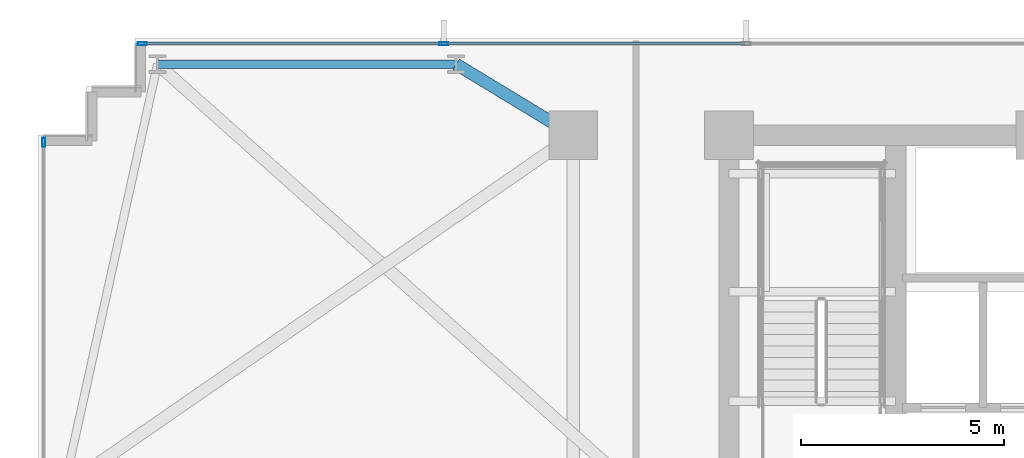
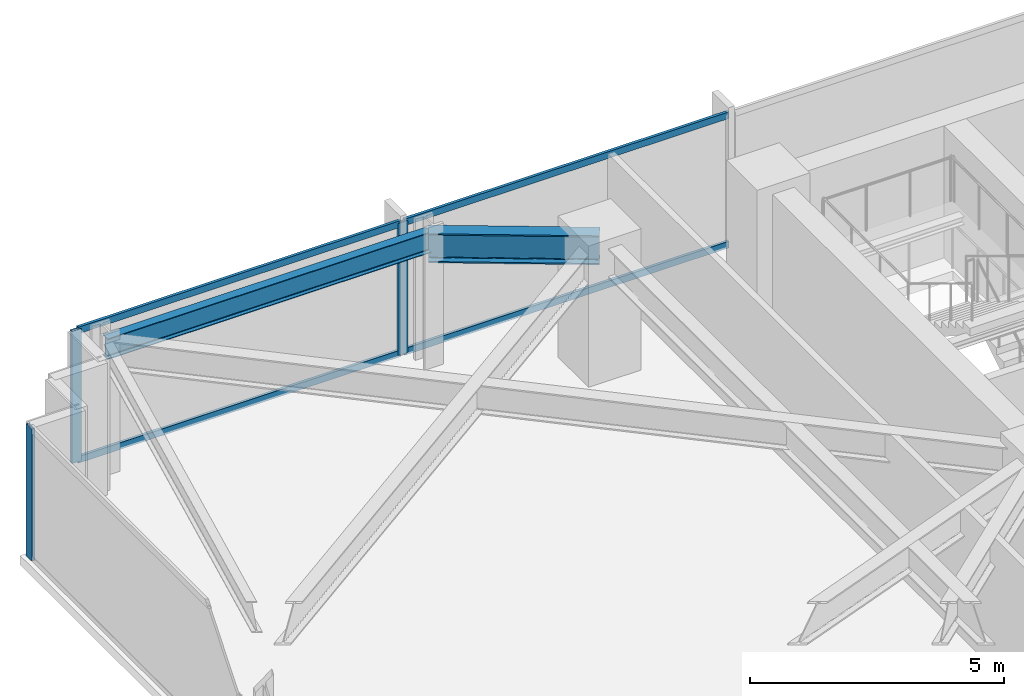
# One storey, part 17 of 33: 7 members, 2 beams, 2 elements without a shape of their own.
"""IFC4 building model written with IfcOpenShell, lengths in metres."""

import ifcopenshell
import ifcopenshell.guid

model = None  # the IFC model being written
_history = None  # IfcOwnerHistory: only IFC2X3 demands one
_inside = {}  # id of a spatial element -> (the spatial element, [elements in it])
_under = {}  # id of a project, library or spatial element -> (it, [spatial elements below it])
_declared = {}  # id of a project -> (the project, [libraries it declares])
_typed = {}  # id of a type object -> (the type object, [elements of that type])
_made_of = {}  # id of a material, layer set ... -> (it, [elements and type objects made of it])


def new_model(schema):
    """Start an empty IFC model of exactly this schema.

    Asked for "IFC4X3", IfcOpenShell would pick the latest addendum, in which some entities
    have other attributes; the version numbers below select the first issue.
    IFC2X3 requires an IfcOwnerHistory on every rooted entity: one is made here for all.
    """
    global model, _history
    if schema == "IFC4X3":
        model = ifcopenshell.file(schema_version=(4, 3, 0, 0))
    else:
        model = ifcopenshell.file(schema=schema)
    _inside.clear()
    _under.clear()
    _declared.clear()
    _typed.clear()
    _made_of.clear()
    _history = None
    if model.schema == "IFC2X3":
        org = make("IfcOrganization", Name="unknown")
        user = make(
            "IfcPersonAndOrganization",
            ThePerson=make("IfcPerson", FamilyName="unknown"),
            TheOrganization=org,
        )
        app = make(
            "IfcApplication",
            ApplicationDeveloper=org,
            Version="unknown",
            ApplicationFullName="unknown",
            ApplicationIdentifier="unknown",
        )
        _history = make(
            "IfcOwnerHistory",
            OwningUser=user,
            OwningApplication=app,
            ChangeAction="ADDED",
            CreationDate=0,
        )
    return model


def make(cls, **values):
    """One entity of the class cls with the attributes given. An attribute that is None is left unset."""
    return model.create_entity(
        cls, **{name: value for name, value in values.items() if value is not None}
    )


def rooted(cls, **values):
    """An entity with a GlobalId (a new one), such as an element, a storey or a relation."""
    return make(cls, GlobalId=ifcopenshell.guid.new(), OwnerHistory=_history, **values)


def si_unit(unit_type, name, prefix=None):
    """IfcSIUnit, for example si_unit("LENGTHUNIT", "METRE", prefix="MILLI")."""
    return make("IfcSIUnit", UnitType=unit_type, Prefix=prefix, Name=name)


def assignment(units):
    """IfcUnitAssignment: the units of a project."""
    return None if units is None else make("IfcUnitAssignment", Units=units)


def point(xyz):
    """IfcCartesianPoint."""
    return None if xyz is None else make("IfcCartesianPoint", Coordinates=xyz)


def direction(xyz):
    """IfcDirection."""
    return None if xyz is None else make("IfcDirection", DirectionRatios=xyz)


def frame(location, z_axis=None, x_axis=None):
    """IfcAxis2Placement3D, a coordinate frame: its origin and axes. An axis left out is left unset."""
    return make(
        "IfcAxis2Placement3D",
        Location=point(location),
        Axis=direction(z_axis),
        RefDirection=direction(x_axis),
    )


def frame_2d(location, x_axis=None):
    """IfcAxis2Placement2D, a coordinate frame in the plane: its origin and x axis."""
    return make(
        "IfcAxis2Placement2D", Location=point(location), RefDirection=direction(x_axis)
    )


def origin():
    """The frame at (0, 0, 0) with its axes left unset."""
    return frame((0.0, 0.0, 0.0))


def origin_2d():
    """The frame at (0, 0) in the plane with its x axis left unset."""
    return frame_2d((0.0, 0.0))


def place(relative_to, where):
    """IfcLocalPlacement: puts the frame where relative to a parent placement (None: the world)."""
    return make(
        "IfcLocalPlacement", PlacementRelTo=relative_to, RelativePlacement=where
    )


def context(
    kind, dimensions, precision=None, world=None, true_north=None, identifier=None
):
    """IfcGeometricRepresentationContext, for example the 3D "Model" context."""
    return make(
        "IfcGeometricRepresentationContext",
        ContextIdentifier=identifier,
        ContextType=kind,
        CoordinateSpaceDimension=dimensions,
        Precision=precision,
        WorldCoordinateSystem=world,
        TrueNorth=true_north,
    )


def subcontext(parent, identifier, kind, view, scale=None):
    """IfcGeometricRepresentationSubContext, for example "Body" below "Model"."""
    return make(
        "IfcGeometricRepresentationSubContext",
        ContextIdentifier=identifier,
        ContextType=kind,
        ParentContext=parent,
        TargetScale=scale,
        TargetView=view,
    )


def project(units=None, contexts=None):
    """IfcProject with its units and contexts."""
    return rooted(
        "IfcProject",
        Name="project",
        RepresentationContexts=contexts,
        UnitsInContext=assignment(units),
    )


def spatial(cls, under=None, at=None, **own):
    """A site, building, storey or space (cls), placed at a placement, below another one or the project."""
    s = rooted(cls, ObjectPlacement=at, **own)
    if under is not None:
        _under.setdefault(under.id(), (under, []))[1].append(s)
    return s


def profile(cls, at=None, kind="AREA", **sizes):
    """A parametric profile (cls). Its sizes go by their IFC names, for example OverallWidth=200.0."""
    return make(cls, ProfileType=kind, Position=at, **sizes)


def hollow_rectangle(**sizes):
    """IfcRectangleHollowProfileDef."""
    return profile("IfcRectangleHollowProfileDef", **sizes)


def i_section(**sizes):
    """IfcIShapeProfileDef."""
    return profile("IfcIShapeProfileDef", **sizes)


def extrude(swept, where, along, depth):
    """IfcExtrudedAreaSolid: the profile swept, set in the frame where, extruded along a direction by depth."""
    return make(
        "IfcExtrudedAreaSolid",
        SweptArea=swept,
        Position=where,
        ExtrudedDirection=direction(along),
        Depth=depth,
    )


def shape(context_of_items, identifier, shape_type, items):
    """IfcShapeRepresentation: the items that make up one representation, for example the "Body"."""
    return make(
        "IfcShapeRepresentation",
        ContextOfItems=context_of_items,
        RepresentationIdentifier=identifier,
        RepresentationType=shape_type,
        Items=items,
    )


def material(Name=None, Category=None):
    """IfcMaterial."""
    return make("IfcMaterial", Name=Name, Category=Category)


def material_profile(
    of_material, cross_section, Name=None, Category=None, Priority=None
):
    """IfcMaterialProfile: a cross section and its material."""
    return make(
        "IfcMaterialProfile",
        Name=Name,
        Material=of_material,
        Profile=cross_section,
        Priority=Priority,
        Category=Category,
    )


def profile_set(profiles, Name=None, composite=None):
    """IfcMaterialProfileSet."""
    return make(
        "IfcMaterialProfileSet",
        Name=Name,
        MaterialProfiles=profiles,
        CompositeProfile=composite,
    )


def made_of(thing, what):
    """Note that an element or type object is made of a material, layer set ...; save() writes the relation."""
    if what is not None:
        _made_of.setdefault(what.id(), (what, []))[1].append(thing)
    return thing


def type_object(cls, material=None, **own):
    """A type object (cls), such as IfcWallType, which elements share."""
    return made_of(rooted(cls, **own), material)


def element(
    cls,
    number,
    at=None,
    inside=None,
    cuts=None,
    type_object=None,
    material=None,
    context=None,
    identifier="Body",
    shape_type=None,
    held_by="IfcProductDefinitionShape",
    body=None,
    shapes=None,
    **own,
):
    """One element of the class cls, such as IfcWall. Its Tag is "e" and its number.

    at: its placement. inside: the storey or other place that contains it. cuts: it is an
    opening in that element (IfcRelVoidsElement). A single representation is given by context,
    identifier, shape_type and body (its items); several are given by shapes. held_by: the class
    of the entity that holds the representations. save() writes the other relations.
    """
    e = rooted(cls, Tag="e%d" % number, ObjectPlacement=at, **own)
    if body is not None:
        shapes = [shape(context, identifier, shape_type, body)]
    if shapes is not None:
        e.Representation = make(held_by, Representations=shapes)
    if inside is not None:
        _inside.setdefault(inside.id(), (inside, []))[1].append(e)
    if cuts is not None:
        rooted(
            "IfcRelVoidsElement", RelatingBuildingElement=cuts, RelatedOpeningElement=e
        )
    if type_object is not None:
        _typed.setdefault(type_object.id(), (type_object, []))[1].append(e)
    return made_of(e, material)


def aggregate(whole, parts):
    """IfcRelAggregates: a whole, such as a stair, and the parts it consists of."""
    return rooted("IfcRelAggregates", RelatingObject=whole, RelatedObjects=parts)


def save(model, path):
    """Write the relations noted so far, then the file.

    IfcRelAggregates (storeys below a building ...), IfcRelContainedInSpatialStructure (elements
    in a storey), IfcRelDefinesByType, IfcRelAssociatesMaterial and IfcRelDeclares: one each for
    every whole, place, type object, material and project.
    """
    for whole, parts in _under.values():
        aggregate(whole, parts)
    for where, things in _inside.values():
        rooted(
            "IfcRelContainedInSpatialStructure",
            RelatedElements=things,
            RelatingStructure=where,
        )
    for kind, things in _typed.values():
        rooted("IfcRelDefinesByType", RelatedObjects=things, RelatingType=kind)
    for what, things in _made_of.values():
        rooted("IfcRelAssociatesMaterial", RelatedObjects=things, RelatingMaterial=what)
    for by, libraries in _declared.values():
        rooted("IfcRelDeclares", RelatingContext=by, RelatedDefinitions=libraries)
    model.write(path)


model = new_model("IFC4")

# Units and contexts
model_context = context("Model", 3, precision=1e-05, world=origin(), true_north=direction((0.0, 1.0)))
body_context = subcontext(model_context, "Body", "Model", "MODEL_VIEW")
ifc_project = project(units=[si_unit("LENGTHUNIT", "METRE"), si_unit("AREAUNIT", "SQUARE_METRE"), si_unit("VOLUMEUNIT", "CUBIC_METRE"), si_unit("PLANEANGLEUNIT", "RADIAN"), si_unit("MASSUNIT", "GRAM", prefix="KILO")], contexts=[model_context])

# Site, building, storey
site_placement = place(None, origin())
site = spatial("IfcSite", under=ifc_project, at=site_placement, CompositionType="ELEMENT")
building_placement = place(site_placement, origin())
building = spatial("IfcBuilding", under=site, at=building_placement, Name="Yelkora Congress Tower", CompositionType="ELEMENT")
storey_placement = place(building_placement, frame((0.0, 0.0, 37.199951171875)))
storey = spatial("IfcBuildingStorey", under=building, at=storey_placement, Name="L08", CompositionType="ELEMENT", Elevation=37.199951171875)

# Beams
ifc_material_1 = material(Name="Steel S355J2", Category="steel")
ifc_material_profile_1 = material_profile(ifc_material_1, i_section(OverallWidth=0.300048828125, OverallDepth=0.699951171875, WebThickness=0.01708984375, FlangeThickness=0.031982421875, FilletRadius=0.027099609375, at=origin_2d()), Name="HEB 700")
ifc_profile_set_1 = profile_set([ifc_material_profile_1], Name="Steel S355J2")
beam_type_1 = type_object("IfcBeamType", Name="BM-GIRD-HEB700", PredefinedType="BEAM", material=ifc_profile_set_1)
beam_1_placement = place(storey_placement, frame((16.3125, 47.949951171875, 2.830078125), z_axis=(0.855193946581, -0.518308126244, 0.0), x_axis=(0.518308126244, 0.855193946581, 0.0)))
element("IfcBeam", 1, at=beam_1_placement, inside=storey, type_object=beam_type_1, Name="L08 Primary Frame Girder N02", PredefinedType="BEAM", context=body_context, shape_type="SweptSolid", body=[
    extrude(i_section(OverallWidth=0.300048828125, OverallDepth=0.699951171875, WebThickness=0.01708984375, FlangeThickness=0.031982421875, FilletRadius=0.027099609375, at=origin_2d()), origin(), (0.0, 0.0, 1.0), 3.37646484375),
])
ifc_material_profile_2 = material_profile(ifc_material_1, i_section(OverallWidth=0.199951171875, OverallDepth=0.5, WebThickness=0.01025390625, FlangeThickness=0.01611328125, FilletRadius=0.02099609375, at=origin_2d()), Name="IPE 500")
ifc_profile_set_2 = profile_set([ifc_material_profile_2], Name="Steel S355J2")
beam_type_2 = type_object("IfcBeamType", Name="BM-SPAN-IPE500", PredefinedType="SPANDREL", material=ifc_profile_set_2)
beam_2_placement = place(storey_placement, frame((16.3125, 47.949951171875, 2.929931640625), z_axis=(-1.0, 0.0, 0.0), x_axis=(0.0, -1.0, 0.0)))
element("IfcBeam", 2, at=beam_2_placement, inside=storey, type_object=beam_type_2, Name="L08 Perimeter Beam 16", PredefinedType="SPANDREL", context=body_context, shape_type="SweptSolid", body=[
    extrude(i_section(OverallWidth=0.199951171875, OverallDepth=0.5, WebThickness=0.01025390625, FlangeThickness=0.01611328125, FilletRadius=0.02099609375, at=origin_2d()), origin(), (0.0, 0.0, 1.0), 7.362548828125),
])

# Curtain wall, member
ifc_material_2 = material(Name="Anodised aluminium and insulated glass", Category="aluminium")
curtain_wall_type = type_object("IfcCurtainWallType", Name="CW-SYS-B1", PredefinedType="NOTDEFINED", material=ifc_material_2)
curtain_wall_1_placement = place(storey_placement, origin())
curtain_wall_1 = element("IfcCurtainWall", 3, at=curtain_wall_1_placement, inside=storey, type_object=curtain_wall_type, Name="L08 Unitised Curtain Wall 5", PredefinedType="NOTDEFINED")
ifc_material_3 = material(Name="Anodised aluminium 6063-T6", Category="aluminium")
ifc_material_profile_3 = material_profile(ifc_material_3, hollow_rectangle(XDim=0.074951171875, YDim=0.219970703125, WallThickness=0.0048828125, at=origin_2d()), Name="ALU 75x220x5")
ifc_profile_set_3 = profile_set([ifc_material_profile_3], Name="Anodised aluminium 6063-T6")
member_type_1 = type_object("IfcMemberType", Name="MEM-ML-B1", PredefinedType="MULLION", material=ifc_profile_set_3)
member_1_placement = place(storey_placement, frame((6.139892578125, 46.0224609375, 0.0), z_axis=(0.0, 0.0, 1.0), x_axis=(-1.0, 0.0, 0.0)))
member_1 = element("IfcMember", 4, at=member_1_placement, type_object=member_type_1, Name="CW-B1 mullion 5", PredefinedType="MULLION", context=body_context, shape_type="SweptSolid", body=[
    extrude(hollow_rectangle(XDim=0.074951171875, YDim=0.219970703125, WallThickness=0.0048828125, at=origin_2d()), origin(), (0.0, 0.0, 1.0), 3.179931640625),
])
aggregate(curtain_wall_1, [member_1])

# Curtain wall, members
curtain_wall_2_placement = place(storey_placement, origin())
curtain_wall_2 = element("IfcCurtainWall", 5, at=curtain_wall_2_placement, inside=storey, type_object=curtain_wall_type, Name="L08 Unitised Curtain Wall 10", PredefinedType="NOTDEFINED")
member_2_placement = place(storey_placement, frame((8.577392578125, 48.4599609375, 0.0), z_axis=(0.0, 0.0, 1.0), x_axis=(0.0, 1.0, 0.0)))
member_2 = element("IfcMember", 6, at=member_2_placement, type_object=member_type_1, Name="CW-B1 mullion 1", PredefinedType="MULLION", context=body_context, shape_type="SweptSolid", body=[
    extrude(hollow_rectangle(XDim=0.074951171875, YDim=0.219970703125, WallThickness=0.0048828125, at=origin_2d()), origin(), (0.0, 0.0, 1.0), 3.179931640625),
])
member_3_placement = place(storey_placement, frame((16.0048828125, 48.4599609375, 0.0), z_axis=(0.0, 0.0, 1.0), x_axis=(0.0, 1.0, 0.0)))
member_3 = element("IfcMember", 7, at=member_3_placement, type_object=member_type_1, Name="CW-B1 mullion 2", PredefinedType="MULLION", context=body_context, shape_type="SweptSolid", body=[
    extrude(hollow_rectangle(XDim=0.074951171875, YDim=0.219970703125, WallThickness=0.0048828125, at=origin_2d()), origin(), (0.0, 0.0, 1.0), 3.179931640625),
])
ifc_material_profile_4 = material_profile(ifc_material_3, hollow_rectangle(XDim=0.06494140625, YDim=0.159912109375, WallThickness=0.00390625, at=origin_2d()), Name="ALU 65x160x4")
ifc_profile_set_4 = profile_set([ifc_material_profile_4], Name="Anodised aluminium 6063-T6")
member_type_2 = type_object("IfcMemberType", Name="MEM-TR-B1", PredefinedType="USERDEFINED", material=ifc_profile_set_4)
member_4_placement = place(storey_placement, frame((8.614990234375, 48.4599609375, 0.032470703125), z_axis=(1.0, 0.0, 0.0), x_axis=(0.0, 1.0, 0.0)))
member_4 = element("IfcMember", 8, at=member_4_placement, type_object=member_type_2, Name="CW-B1 transom 1.1", ObjectType="TRANSOM", PredefinedType="USERDEFINED", context=body_context, shape_type="SweptSolid", body=[
    extrude(hollow_rectangle(XDim=0.06494140625, YDim=0.159912109375, WallThickness=0.00390625, at=origin_2d()), origin(), (0.0, 0.0, 1.0), 7.3525390625),
])
member_5_placement = place(storey_placement, frame((8.614990234375, 48.4599609375, 3.1474609375), z_axis=(1.0, 0.0, 0.0), x_axis=(0.0, 1.0, 0.0)))
member_5 = element("IfcMember", 9, at=member_5_placement, type_object=member_type_2, Name="CW-B1 transom 1.2", ObjectType="TRANSOM", PredefinedType="USERDEFINED", context=body_context, shape_type="SweptSolid", body=[
    extrude(hollow_rectangle(XDim=0.06494140625, YDim=0.159912109375, WallThickness=0.00390625, at=origin_2d()), origin(), (0.0, 0.0, 1.0), 7.3525390625),
])
member_6_placement = place(storey_placement, frame((16.04248046875, 48.4599609375, 0.032470703125), z_axis=(1.0, 0.0, 0.0), x_axis=(0.0, 1.0, 0.0)))
member_6 = element("IfcMember", 10, at=member_6_placement, type_object=member_type_2, Name="CW-B1 transom 2.1", ObjectType="TRANSOM", PredefinedType="USERDEFINED", context=body_context, shape_type="SweptSolid", body=[
    extrude(hollow_rectangle(XDim=0.06494140625, YDim=0.159912109375, WallThickness=0.00390625, at=origin_2d()), origin(), (0.0, 0.0, 1.0), 7.39013671875),
])
member_7_placement = place(storey_placement, frame((16.04248046875, 48.4599609375, 3.1474609375), z_axis=(1.0, 0.0, 0.0), x_axis=(0.0, 1.0, 0.0)))
member_7 = element("IfcMember", 11, at=member_7_placement, type_object=member_type_2, Name="CW-B1 transom 2.2", ObjectType="TRANSOM", PredefinedType="USERDEFINED", context=body_context, shape_type="SweptSolid", body=[
    extrude(hollow_rectangle(XDim=0.06494140625, YDim=0.159912109375, WallThickness=0.00390625, at=origin_2d()), origin(), (0.0, 0.0, 1.0), 7.39013671875),
])
aggregate(curtain_wall_2, [member_2, member_3, member_4, member_5, member_6, member_7])

save(model, "model.ifc")
